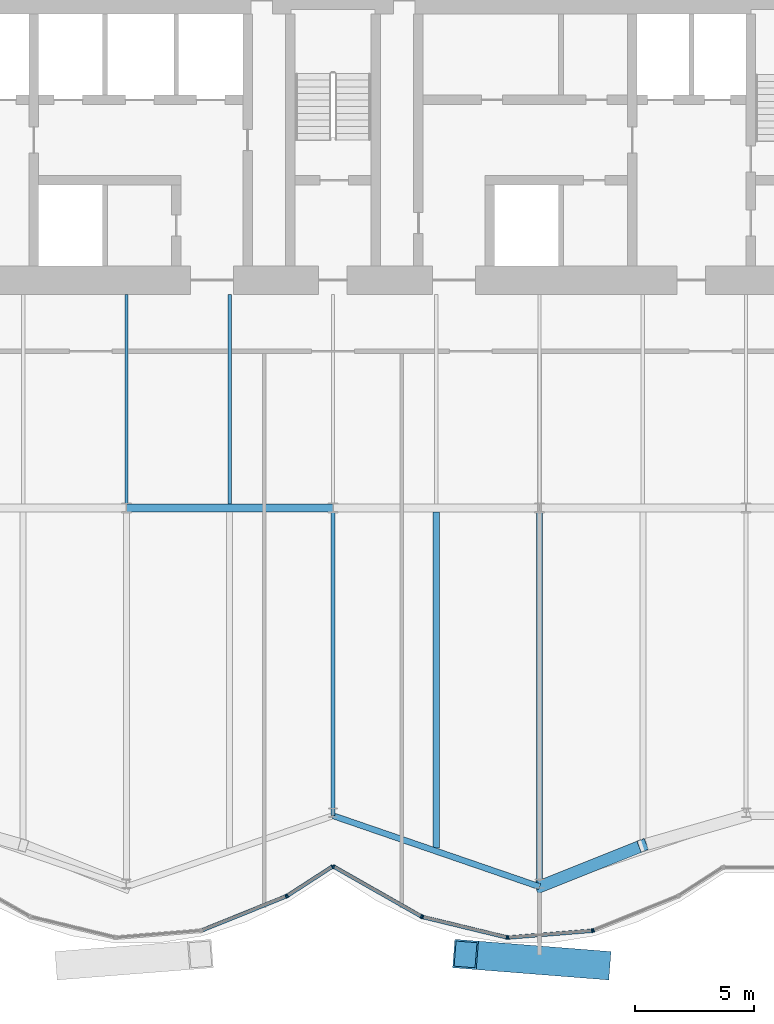
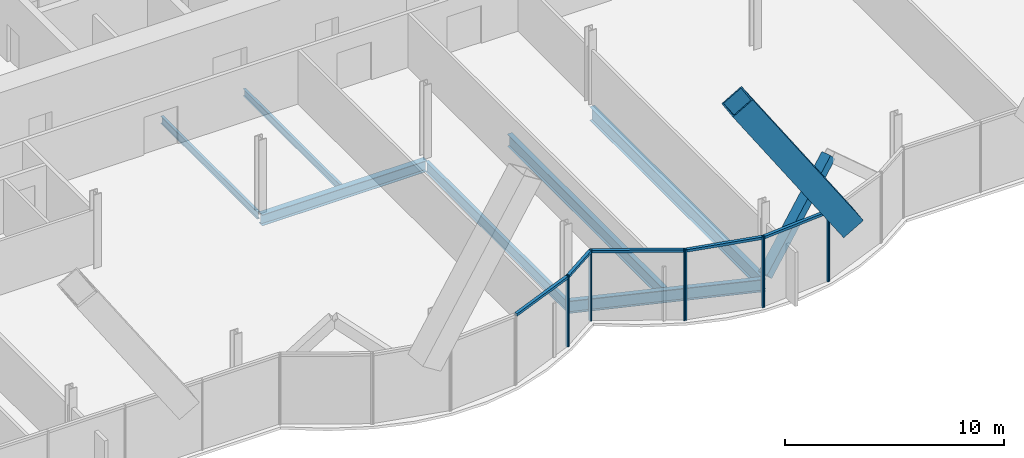
# One storey, part 7 of 21: 17 members, 7 beams, 2 elements without a shape of their own.
"""IFC4 building model written with IfcOpenShell, lengths in metres."""

from ifc_helpers import new_model, si_unit, direction, frame, origin, origin_2d, place, context, subcontext, project, spatial, rectangle, hollow_rectangle, i_section, extrude, material, material_profile, profile_set, type_object, element, aggregate, save


model = new_model("IFC4")

# Units and contexts
model_context = context("Model", 3, precision=1e-05, world=origin(), true_north=direction((0.0, 1.0)))
body_context = subcontext(model_context, "Body", "Model", "MODEL_VIEW")
ifc_project = project(units=[si_unit("LENGTHUNIT", "METRE"), si_unit("AREAUNIT", "SQUARE_METRE"), si_unit("VOLUMEUNIT", "CUBIC_METRE"), si_unit("PLANEANGLEUNIT", "RADIAN"), si_unit("MASSUNIT", "GRAM", prefix="KILO")], contexts=[model_context])

# Site, building, storey
site_placement = place(None, origin())
site = spatial("IfcSite", under=ifc_project, at=site_placement, CompositionType="ELEMENT")
building_placement = place(site_placement, origin())
building = spatial("IfcBuilding", under=site, at=building_placement, Name="Bicima Exchange Tower", CompositionType="ELEMENT")
storey_placement = place(building_placement, frame((0.0, 0.0, 118.60009765625)))
storey = spatial("IfcBuildingStorey", under=building, at=storey_placement, Name="L25", CompositionType="ELEMENT", Elevation=118.60009765625)

# Member
ifc_material_1 = material(Name="Steel ASTM A572 Gr 50", Category="steel")
ifc_material_profile_1 = material_profile(ifc_material_1, hollow_rectangle(XDim=1.199951171875, YDim=1.199951171875, WallThickness=0.070068359375, at=origin_2d()))
ifc_profile_set_1 = profile_set([ifc_material_profile_1], Name="Steel ASTM A572 Gr 50")
member_type_1 = type_object("IfcMemberType", Name="Exo mega brace BOX 1200x1200x70", PredefinedType="BRACE", material=ifc_profile_set_1)
member_1_placement = place(storey_placement, frame((11.166748046875, -41.2470703125, 4.066650390625), z_axis=(-0.55229083796, 0.043468452485, 0.832517461645), x_axis=(-0.078463079856, -0.996917020167, 0.0)))
element("IfcMember", 1, at=member_1_placement, inside=storey, type_object=member_type_1, Name="Exo mega brace front", PredefinedType="BRACE", context=body_context, shape_type="SweptSolid", body=[
    extrude(hollow_rectangle(XDim=1.199951171875, YDim=1.199951171875, WallThickness=0.070068359375, at=origin_2d()), origin(), (0.0, 0.0, 1.0), 10.109619140625),
])

# Beams
ifc_material_2 = material(Name="Steel ASTM A992 Gr 50", Category="steel")
ifc_material_profile_2 = material_profile(ifc_material_2, i_section(OverallWidth=0.140380859375, OverallDepth=0.40380859375, WebThickness=0.007080078125, FlangeThickness=0.01123046875, at=origin_2d()))
ifc_profile_set_2 = profile_set([ifc_material_profile_2], Name="Steel ASTM A992 Gr 50")
beam_type_1 = type_object("IfcBeamType", Name="Floor beam W16x31", PredefinedType="JOIST", material=ifc_profile_set_2)
for number, where, z_axis, x_axis, name in (
    (2, (-8.699951171875, -13.0, -0.35205078125), (0.0, -1.0, 0.0), (1.0, 0.0, 0.0), "Floor beam"),
    (3, (-4.35009765625, -13.0, -0.35205078125), (0.0, -1.0, 0.0), (1.0, 0.0, 0.0), "Floor beam"),
):
    element("IfcBeam", number, at=place(storey_placement, frame(where, z_axis=z_axis, x_axis=x_axis)), inside=storey, type_object=beam_type_1, Name=name, PredefinedType="JOIST", context=body_context, shape_type="SweptSolid", body=[
        extrude(i_section(OverallWidth=0.140380859375, OverallDepth=0.40380859375, WebThickness=0.007080078125, FlangeThickness=0.01123046875, at=origin_2d()), origin(), (0.0, 0.0, 1.0), 8.83740234375),
    ])
ifc_material_profile_3 = material_profile(ifc_material_2, i_section(OverallWidth=0.177978515625, OverallDepth=0.599365234375, WebThickness=0.010009765625, FlangeThickness=0.012939453125, at=origin_2d()))
ifc_profile_set_3 = profile_set([ifc_material_profile_3], Name="Steel ASTM A992 Gr 50")
beam_type_2 = type_object("IfcBeamType", Name="Floor beam W24x55", PredefinedType="JOIST", material=ifc_profile_set_3)
beam_1_placement = place(storey_placement, frame((0.0, -22.16259765625, -0.44970703125), z_axis=(0.0, -1.0, 0.0), x_axis=(1.0, 0.0, 0.0)))
element("IfcBeam", 4, at=beam_1_placement, inside=storey, type_object=beam_type_2, Name="Floor beam", PredefinedType="JOIST", context=body_context, shape_type="SweptSolid", body=[
    extrude(i_section(OverallWidth=0.177978515625, OverallDepth=0.599365234375, WebThickness=0.010009765625, FlangeThickness=0.012939453125, at=origin_2d()), origin(), (0.0, 0.0, 1.0), 12.801513671875),
])
ifc_material_profile_4 = material_profile(ifc_material_2, i_section(OverallWidth=0.25390625, OverallDepth=0.67822265625, WebThickness=0.01171875, FlangeThickness=0.016357421875, at=origin_2d()))
ifc_profile_set_4 = profile_set([ifc_material_profile_4], Name="Steel ASTM A992 Gr 50")
beam_type_3 = type_object("IfcBeamType", Name="Floor beam W27x84", PredefinedType="JOIST", material=ifc_profile_set_4)
beam_2_placement = place(storey_placement, frame((4.35009765625, -22.16259765625, -0.4892578125), z_axis=(0.0, -1.0, 0.0), x_axis=(1.0, 0.0, 0.0)))
element("IfcBeam", 5, at=beam_2_placement, inside=storey, type_object=beam_type_3, Name="Floor beam", PredefinedType="JOIST", context=body_context, shape_type="SweptSolid", body=[
    extrude(i_section(OverallWidth=0.25390625, OverallDepth=0.67822265625, WebThickness=0.01171875, FlangeThickness=0.016357421875, at=origin_2d()), origin(), (0.0, 0.0, 1.0), 14.161376953125),
])
ifc_material_profile_5 = material_profile(ifc_material_2, i_section(OverallWidth=0.2666015625, OverallDepth=0.75439453125, WebThickness=0.01318359375, FlangeThickness=0.01708984375, at=origin_2d()))
ifc_profile_set_5 = profile_set([ifc_material_profile_5], Name="Steel ASTM A992 Gr 50")
beam_type_4 = type_object("IfcBeamType", Name="Floor beam W30x99", PredefinedType="JOIST", material=ifc_profile_set_5)
beam_3_placement = place(storey_placement, frame((8.699951171875, -22.16259765625, -0.52734375), z_axis=(0.0, -1.0, 0.0), x_axis=(1.0, 0.0, 0.0)))
element("IfcBeam", 6, at=beam_3_placement, inside=storey, type_object=beam_type_4, Name="Floor beam", PredefinedType="JOIST", context=body_context, shape_type="SweptSolid", body=[
    extrude(i_section(OverallWidth=0.2666015625, OverallDepth=0.75439453125, WebThickness=0.01318359375, FlangeThickness=0.01708984375, at=origin_2d()), origin(), (0.0, 0.0, 1.0), 15.65673828125),
])
ifc_material_profile_6 = material_profile(ifc_material_2, i_section(OverallWidth=0.256591796875, OverallDepth=0.693359375, WebThickness=0.014404296875, FlangeThickness=0.023681640625, at=origin_2d()))
ifc_profile_set_6 = profile_set([ifc_material_profile_6], Name="Steel ASTM A992 Gr 50")
beam_type_5 = type_object("IfcBeamType", Name="Front girder W27x114", PredefinedType="BEAM", material=ifc_profile_set_6)
beam_4_placement = place(storey_placement, frame((0.0, -34.964111328125, -0.496826171875), z_axis=(0.945674616091, -0.32511462668, 0.0), x_axis=(0.32511462668, 0.945674616091, 0.0)))
element("IfcBeam", 7, at=beam_4_placement, inside=storey, type_object=beam_type_5, Name="Front girder", PredefinedType="BEAM", context=body_context, shape_type="SweptSolid", body=[
    extrude(i_section(OverallWidth=0.256591796875, OverallDepth=0.693359375, WebThickness=0.014404296875, FlangeThickness=0.023681640625, at=origin_2d()), origin(), (0.0, 0.0, 1.0), 9.19970703125),
])

# Curtain wall, members
ifc_material_3 = material(Name="Anodised bronze aluminium", Category="aluminium")
curtain_wall_type = type_object("IfcCurtainWallType", Name="Front glass wall", PredefinedType="NOTDEFINED", material=ifc_material_3)
curtain_wall_1_placement = place(storey_placement, origin())
curtain_wall_1 = element("IfcCurtainWall", 8, at=curtain_wall_1_placement, inside=storey, type_object=curtain_wall_type, Name="Front glass wall L25 run 6", PredefinedType="NOTDEFINED")
ifc_material_profile_7 = material_profile(ifc_material_3, rectangle(XDim=0.159912109375, YDim=0.06005859375, at=origin_2d()))
ifc_profile_set_7 = profile_set([ifc_material_profile_7], Name="Anodised bronze aluminium")
member_type_2 = type_object("IfcMemberType", Name="Front glass wall mullion 60 x 160", PredefinedType="MULLION", material=ifc_profile_set_7)
member_2_placement = place(storey_placement, frame((-1.97412109375, -38.359619140625, 0.0), z_axis=(0.0, 0.0, 1.0), x_axis=(-0.374705304, 0.92714396679, 0.0)))
member_2 = element("IfcMember", 9, at=member_2_placement, type_object=member_type_2, Name="Front glass wall mullion 2", PredefinedType="MULLION", context=body_context, shape_type="SweptSolid", body=[
    extrude(rectangle(XDim=0.159912109375, YDim=0.06005859375, at=origin_2d()), origin(), (0.0, 0.0, 1.0), 3.949951171875),
])
member_3_placement = place(storey_placement, frame((-1.921142578125, -38.33203125, 0.0), z_axis=(0.0, 0.0, 1.0), x_axis=(-0.542897457326, 0.839798994301, 0.0)))
member_3 = element("IfcMember", 10, at=member_3_placement, type_object=member_type_2, Name="Front glass wall mullion 1", PredefinedType="MULLION", context=body_context, shape_type="SweptSolid", body=[
    extrude(rectangle(XDim=0.159912109375, YDim=0.06005859375, at=origin_2d()), origin(), (0.0, 0.0, 1.0), 3.949951171875),
])
member_4_placement = place(storey_placement, frame((-0.025146484375, -37.1064453125, 0.0), z_axis=(0.0, 0.0, 1.0), x_axis=(-0.542897457326, 0.839798994301, 0.0)))
member_4 = element("IfcMember", 11, at=member_4_placement, type_object=member_type_2, Name="Front glass wall mullion 2", PredefinedType="MULLION", context=body_context, shape_type="SweptSolid", body=[
    extrude(rectangle(XDim=0.159912109375, YDim=0.06005859375, at=origin_2d()), origin(), (0.0, 0.0, 1.0), 3.949951171875),
])

curtain_wall_2_placement = place(storey_placement, origin())
curtain_wall_2 = element("IfcCurtainWall", 12, at=curtain_wall_2_placement, inside=storey, type_object=curtain_wall_type, Name="Front glass wall L25 run 11", PredefinedType="NOTDEFINED")
member_5_placement = place(storey_placement, frame((0.026123046875, -37.10498046875, 0.0), z_axis=(0.0, 0.0, 1.0), x_axis=(0.494330311331, 0.869274147378, 0.0)))
member_5 = element("IfcMember", 13, at=member_5_placement, type_object=member_type_2, Name="Front glass wall mullion 1", PredefinedType="MULLION", context=body_context, shape_type="SweptSolid", body=[
    extrude(rectangle(XDim=0.159912109375, YDim=0.06005859375, at=origin_2d()), origin(), (0.0, 0.0, 1.0), 3.949951171875),
])
member_6_placement = place(storey_placement, frame((3.7265625, -39.20947265625, 0.0), z_axis=(0.0, 0.0, 1.0), x_axis=(0.494330311331, 0.869274147378, 0.0)))
member_6 = element("IfcMember", 14, at=member_6_placement, type_object=member_type_2, Name="Front glass wall mullion 2", PredefinedType="MULLION", context=body_context, shape_type="SweptSolid", body=[
    extrude(rectangle(XDim=0.159912109375, YDim=0.06005859375, at=origin_2d()), origin(), (0.0, 0.0, 1.0), 3.949951171875),
])
member_7_placement = place(storey_placement, frame((3.781982421875, -39.231201171875, 0.0), z_axis=(0.0, 0.0, 1.0), x_axis=(0.235681529503, 0.971830343553, 0.0)))
member_7 = element("IfcMember", 15, at=member_7_placement, type_object=member_type_2, Name="Front glass wall mullion 1", PredefinedType="MULLION", context=body_context, shape_type="SweptSolid", body=[
    extrude(rectangle(XDim=0.159912109375, YDim=0.06005859375, at=origin_2d()), origin(), (0.0, 0.0, 1.0), 3.949951171875),
])
member_8_placement = place(storey_placement, frame((7.322509765625, -40.08984375, 0.0), z_axis=(0.0, 0.0, 1.0), x_axis=(0.235681529503, 0.971830343553, 0.0)))
member_8 = element("IfcMember", 16, at=member_8_placement, type_object=member_type_2, Name="Front glass wall mullion 2", PredefinedType="MULLION", context=body_context, shape_type="SweptSolid", body=[
    extrude(rectangle(XDim=0.159912109375, YDim=0.06005859375, at=origin_2d()), origin(), (0.0, 0.0, 1.0), 3.949951171875),
])
member_9_placement = place(storey_placement, frame((7.381591796875, -40.094482421875, 0.0), z_axis=(0.0, 0.0, 1.0), x_axis=(-0.080588612633, 0.99674744821, 0.0)))
member_9 = element("IfcMember", 17, at=member_9_placement, type_object=member_type_2, Name="Front glass wall mullion 1", PredefinedType="MULLION", context=body_context, shape_type="SweptSolid", body=[
    extrude(rectangle(XDim=0.159912109375, YDim=0.06005859375, at=origin_2d()), origin(), (0.0, 0.0, 1.0), 3.949951171875),
])
member_10_placement = place(storey_placement, frame((10.916015625, -39.808837890625, 0.0), z_axis=(0.0, 0.0, 1.0), x_axis=(-0.080588612633, 0.99674744821, 0.0)))
member_10 = element("IfcMember", 18, at=member_10_placement, type_object=member_type_2, Name="Front glass wall mullion 2", PredefinedType="MULLION", context=body_context, shape_type="SweptSolid", body=[
    extrude(rectangle(XDim=0.159912109375, YDim=0.06005859375, at=origin_2d()), origin(), (0.0, 0.0, 1.0), 3.949951171875),
])
member_11_placement = place(storey_placement, frame((10.973876953125, -39.795166015625, 0.0), z_axis=(0.0, 0.0, 1.0), x_axis=(-0.374705304, 0.92714396679, 0.0)))
member_11 = element("IfcMember", 19, at=member_11_placement, type_object=member_type_2, Name="Front glass wall mullion 1", PredefinedType="MULLION", context=body_context, shape_type="SweptSolid", body=[
    extrude(rectangle(XDim=0.159912109375, YDim=0.06005859375, at=origin_2d()), origin(), (0.0, 0.0, 1.0), 3.949951171875),
])

# Member
ifc_material_profile_8 = material_profile(ifc_material_3, rectangle(XDim=0.159912109375, YDim=0.139892578125, at=origin_2d()))
ifc_profile_set_8 = profile_set([ifc_material_profile_8], Name="Anodised bronze aluminium")
member_type_3 = type_object("IfcMemberType", Name="Front glass wall transom 140 x 160", PredefinedType="USERDEFINED", material=ifc_profile_set_8)
member_12_placement = place(storey_placement, frame((-5.498291015625, -39.783935546875, 3.8798828125), z_axis=(0.927140215882, 0.374714584842, 0.0), x_axis=(-0.374714584842, 0.927140215882, 0.0)))
member_12 = element("IfcMember", 20, at=member_12_placement, type_object=member_type_3, Name="Front glass wall transom 1.1", ObjectType="TRANSOM", PredefinedType="USERDEFINED", context=body_context, shape_type="SweptSolid", body=[
    extrude(rectangle(XDim=0.159912109375, YDim=0.139892578125, at=origin_2d()), origin(), (0.0, 0.0, 1.0), 3.77099609375),
])

member_13_placement = place(storey_placement, frame((-1.89599609375, -38.31591796875, 3.8798828125), z_axis=(0.839811483481, 0.542878137536, 0.0), x_axis=(-0.542878137536, 0.839811483481, 0.0)))
member_13 = element("IfcMember", 21, at=member_13_placement, type_object=member_type_3, Name="Front glass wall transom 1.1", ObjectType="TRANSOM", PredefinedType="USERDEFINED", context=body_context, shape_type="SweptSolid", body=[
    extrude(rectangle(XDim=0.159912109375, YDim=0.139892578125, at=origin_2d()), origin(), (0.0, 0.0, 1.0), 2.19775390625),
])

aggregate(curtain_wall_1, [member_2, member_12, member_3, member_4, member_13])

member_14_placement = place(storey_placement, frame((0.05224609375, -37.119873046875, 3.8798828125), z_axis=(0.869265121745, -0.494346182466, 0.0), x_axis=(0.494346182466, 0.869265121745, 0.0)))
member_14 = element("IfcMember", 22, at=member_14_placement, type_object=member_type_3, Name="Front glass wall transom 1.1", ObjectType="TRANSOM", PredefinedType="USERDEFINED", context=body_context, shape_type="SweptSolid", body=[
    extrude(rectangle(XDim=0.159912109375, YDim=0.139892578125, at=origin_2d()), origin(), (0.0, 0.0, 1.0), 4.19677734375),
])

member_15_placement = place(storey_placement, frame((3.81103515625, -39.23828125, 3.8798828125), z_axis=(0.971817951661, -0.235732621477, 0.0), x_axis=(0.235732621477, 0.971817951661, 0.0)))
member_15 = element("IfcMember", 23, at=member_15_placement, type_object=member_type_3, Name="Front glass wall transom 1.1", ObjectType="TRANSOM", PredefinedType="USERDEFINED", context=body_context, shape_type="SweptSolid", body=[
    extrude(rectangle(XDim=0.159912109375, YDim=0.139892578125, at=origin_2d()), origin(), (0.0, 0.0, 1.0), 3.58349609375),
])

member_16_placement = place(storey_placement, frame((7.41162109375, -40.09228515625, 3.8798828125), z_axis=(0.9967456465, 0.080610893699, 0.0), x_axis=(-0.080610893699, 0.9967456465, 0.0)))
member_16 = element("IfcMember", 24, at=member_16_placement, type_object=member_type_3, Name="Front glass wall transom 1.1", ObjectType="TRANSOM", PredefinedType="USERDEFINED", context=body_context, shape_type="SweptSolid", body=[
    extrude(rectangle(XDim=0.159912109375, YDim=0.139892578125, at=origin_2d()), origin(), (0.0, 0.0, 1.0), 3.48583984375),
])

aggregate(curtain_wall_2, [member_5, member_6, member_14, member_7, member_8, member_15, member_9, member_10, member_16, member_11])

ifc_material_profile_9 = material_profile(ifc_material_1, hollow_rectangle(XDim=0.508056640625, YDim=0.508056640625, WallThickness=0.0146484375, at=origin_2d()))
ifc_profile_set_9 = profile_set([ifc_material_profile_9], Name="Steel ASTM A572 Gr 50")
member_type_4 = type_object("IfcMemberType", Name="Mega brace HSS20x20x5/8", PredefinedType="BRACE", material=ifc_profile_set_9)
member_17_placement = place(storey_placement, frame((8.699951171875, -37.955078125, 0.0), z_axis=(0.698744239452, 0.279411421377, 0.658548210412), x_axis=(-0.371291842786, 0.928516218211, 0.0)))
element("IfcMember", 25, at=member_17_placement, inside=storey, type_object=member_type_4, Name="Mega brace front", PredefinedType="BRACE", context=body_context, shape_type="SweptSolid", body=[
    extrude(hollow_rectangle(XDim=0.508056640625, YDim=0.508056640625, WallThickness=0.0146484375, at=origin_2d()), origin(), (0.0, 0.0, 1.0), 6.2255859375),
])

# Beam
ifc_material_profile_10 = material_profile(ifc_material_2, i_section(OverallWidth=0.3251953125, OverallDepth=0.612060546875, WebThickness=0.0126953125, FlangeThickness=0.01904296875, at=origin_2d()))
ifc_profile_set_10 = profile_set([ifc_material_profile_10], Name="Steel ASTM A992 Gr 50")
beam_type_6 = type_object("IfcBeamType", Name="Row girder W24x104", PredefinedType="BEAM", material=ifc_profile_set_10)
beam_5_placement = place(storey_placement, frame((-8.699951171875, -22.0, -0.456298828125), z_axis=(1.0, 0.0, 0.0), x_axis=(0.0, 1.0, 0.0)))
element("IfcBeam", 26, at=beam_5_placement, inside=storey, type_object=beam_type_6, Name="Row girder", PredefinedType="BEAM", context=body_context, shape_type="SweptSolid", body=[
    extrude(i_section(OverallWidth=0.3251953125, OverallDepth=0.612060546875, WebThickness=0.0126953125, FlangeThickness=0.01904296875, at=origin_2d()), origin(), (0.0, 0.0, 1.0), 8.699951171875),
])

save(model, "model.ifc")
